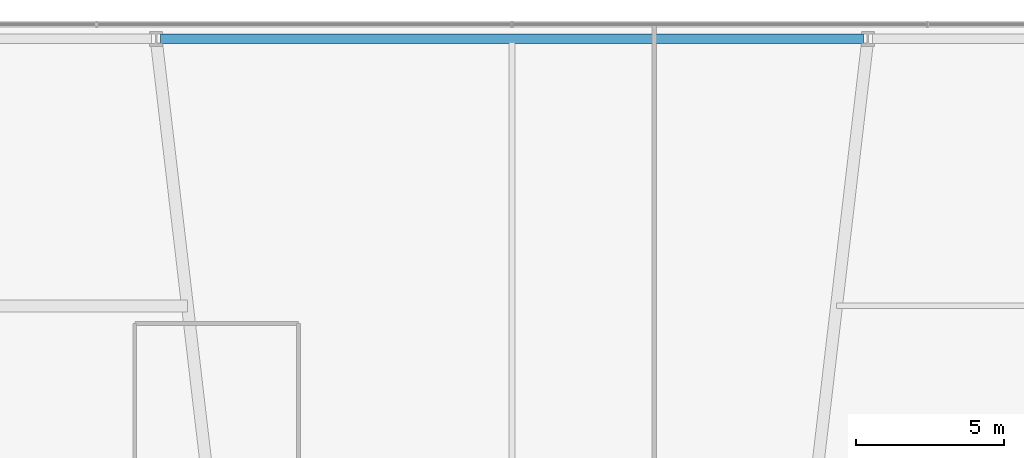
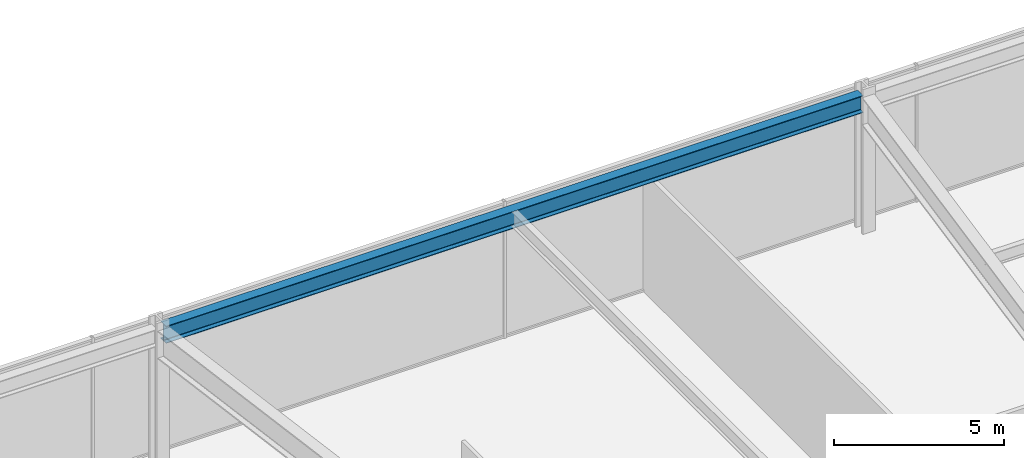
# One storey, part 32 of 49: 1 beam.
"""IFC4 building model written with IfcOpenShell, lengths in metres."""

from ifc_helpers import new_model, si_unit, direction, frame, origin, origin_2d, place, context, subcontext, project, spatial, i_section, extrude, material, material_profile, profile_set, type_object, element, save


model = new_model("IFC4")

# Units and contexts
model_context = context("Model", 3, precision=1e-05, world=origin(), true_north=direction((0.0, 1.0)))
body_context = subcontext(model_context, "Body", "Model", "MODEL_VIEW")
ifc_project = project(units=[si_unit("LENGTHUNIT", "METRE"), si_unit("AREAUNIT", "SQUARE_METRE"), si_unit("VOLUMEUNIT", "CUBIC_METRE"), si_unit("PLANEANGLEUNIT", "RADIAN"), si_unit("MASSUNIT", "GRAM", prefix="KILO")], contexts=[model_context])

# Site, building, storey
site_placement = place(None, origin())
site = spatial("IfcSite", under=ifc_project, at=site_placement, CompositionType="ELEMENT")
building_placement = place(site_placement, origin())
building = spatial("IfcBuilding", under=site, at=building_placement, Name="Kolvaren Belvedere", CompositionType="ELEMENT")
storey_placement = place(building_placement, frame((0.0, 0.0, 10.0)))
storey = spatial("IfcBuildingStorey", under=building, at=storey_placement, Name="L03", CompositionType="ELEMENT", Elevation=10.0)

# Beam
ifc_material = material(Name="Structural steel ASTM A992 Grade 50", Category="steel")
ifc_material_profile = material_profile(ifc_material, i_section(OverallWidth=0.324951171875, OverallDepth=0.615966796875, WebThickness=0.013916015625, FlangeThickness=0.021484375, FilletRadius=0.02001953125, at=origin_2d()), Name="W24X117")
ifc_profile_set = profile_set([ifc_material_profile], Name="Structural steel ASTM A992 Grade 50")
beam_type = type_object("IfcBeamType", Name="BM-SPAN-W24X117", PredefinedType="SPANDREL", material=ifc_profile_set)
beam_placement = place(storey_placement, frame((-11.85009765625, 27.800048828125, 4.612060546875), z_axis=(1.0, 0.0, 0.0), x_axis=(0.0, 1.0, 0.0)))
element("IfcBeam", 1, at=beam_placement, inside=storey, type_object=beam_type, Name="L03 North Podium Spandrel 2", PredefinedType="SPANDREL", context=body_context, shape_type="SweptSolid", body=[
    extrude(i_section(OverallWidth=0.324951171875, OverallDepth=0.615966796875, WebThickness=0.013916015625, FlangeThickness=0.021484375, FilletRadius=0.02001953125, at=origin_2d()), origin(), (0.0, 0.0, 1.0), 23.7001953125),
])

save(model, "model.ifc")
